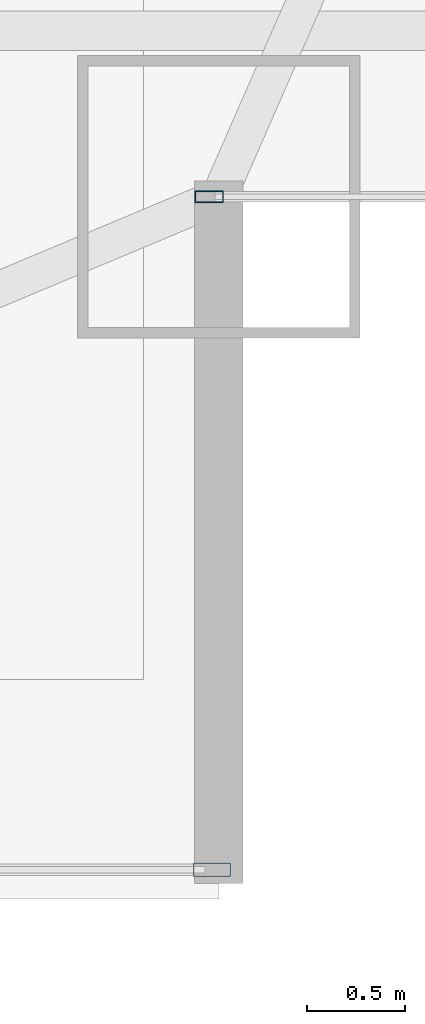
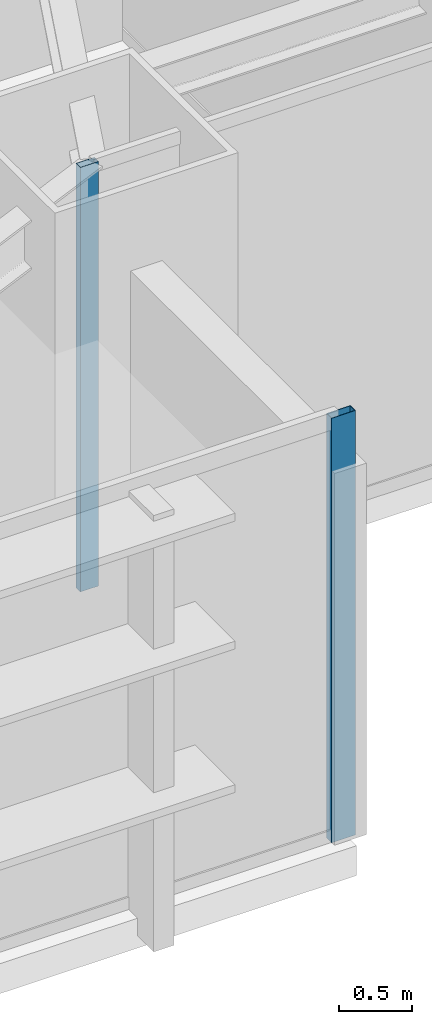
# One storey, part 14 of 30: 2 members, 2 elements without a shape of their own.
"""IFC4 building model written with IfcOpenShell, lengths in metres."""

from ifc_helpers import new_model, si_unit, direction, frame, origin, origin_2d, place, context, subcontext, project, spatial, hollow_rectangle, extrude, source, transform, mapped, material, layer, layer_set, material_profile, profile_set, type_object, type_shapes, element, aggregate, save


model = new_model("IFC4")

# Units and contexts
model_context = context("Model", 3, precision=1e-05, world=origin(), true_north=direction((0.0, 1.0)))
body_context = subcontext(model_context, "Body", "Model", "MODEL_VIEW")
ifc_project = project(units=[si_unit("LENGTHUNIT", "METRE"), si_unit("AREAUNIT", "SQUARE_METRE"), si_unit("VOLUMEUNIT", "CUBIC_METRE"), si_unit("PLANEANGLEUNIT", "RADIAN"), si_unit("MASSUNIT", "GRAM", prefix="KILO")], contexts=[model_context])

# Site, building, storey
site_placement = place(None, origin())
site = spatial("IfcSite", under=ifc_project, at=site_placement, CompositionType="ELEMENT")
building_placement = place(site_placement, origin())
building = spatial("IfcBuilding", under=site, at=building_placement, Name="Varnel Quay Broadcast Tower", CompositionType="ELEMENT")
storey_placement = place(building_placement, frame((0.0, 0.0, 122.0)))
storey = spatial("IfcBuildingStorey", under=building, at=storey_placement, Name="L29", CompositionType="ELEMENT", Elevation=122.0)

# Curtain wall, member
ifc_material = material(Name="Anodised Bronze Aluminium 6063-T6", Category="aluminium")
ifc_layer_1 = layer(ifc_material, 0.18994140625, Name="Anodised Bronze Aluminium 6063-T6")
ifc_layer_set_1 = layer_set([ifc_layer_1], Name="Anodised Bronze Aluminium 6063-T6")
curtain_wall_type_1 = type_object("IfcCurtainWallType", Name="CW_LowerTower", PredefinedType="NOTDEFINED", material=ifc_layer_set_1)
curtain_wall_1_placement = place(storey_placement, origin())
curtain_wall_1 = element("IfcCurtainWall", 1, at=curtain_wall_1_placement, inside=storey, type_object=curtain_wall_type_1, Name="L29 South Unitised Curtain Wall 1", PredefinedType="NOTDEFINED")
ifc_material_profile_1 = material_profile(ifc_material, hollow_rectangle(XDim=0.070068359375, YDim=0.18994140625, WallThickness=0.00390625, at=origin_2d()), Name="ALU70X190X4")
ifc_profile_set_1 = profile_set([ifc_material_profile_1], Name="Anodised Bronze Aluminium 6063-T6")
member_type_1 = type_object("IfcMemberType", Name="Mull_CWS-02", PredefinedType="MULLION", material=ifc_profile_set_1)
shared_shape_1 = source(origin(), body_context, "Body", "SweptSolid", [
    extrude(hollow_rectangle(XDim=0.070068359375, YDim=0.18994140625, WallThickness=0.00390625, at=origin_2d()), origin(), (0.0, 0.0, 1.0), 3.550048828125),
])
type_shapes(member_type_1, [shared_shape_1])
member_1_placement = place(storey_placement, frame((59.864990234375, 4.35009765625, 0.0), z_axis=(0.0, 0.0, 1.0), x_axis=(0.0, 1.0, 0.0)))
member_1 = element("IfcMember", 2, at=member_1_placement, type_object=member_type_1, Name="CWS-02 mullion 5", PredefinedType="MULLION", context=body_context, shape_type="MappedRepresentation", body=[
    mapped(shared_shape_1, transform((0.0, 0.0, 0.0), x_axis=(1.0, 0.0, 0.0), y_axis=(0.0, 1.0, 0.0), z_axis=(0.0, 0.0, 1.0), scale=1.0)),
])
aggregate(curtain_wall_1, [member_1])

ifc_layer_2 = layer(ifc_material, 0.18994140625, Name="Anodised Bronze Aluminium 6063-T6")
ifc_layer_set_2 = layer_set([ifc_layer_2], Name="Anodised Bronze Aluminium 6063-T6")
curtain_wall_type_2 = type_object("IfcCurtainWallType", Name="CW_NotchCorner", PredefinedType="NOTDEFINED", material=ifc_layer_set_2)
curtain_wall_2_placement = place(storey_placement, origin())
curtain_wall_2 = element("IfcCurtainWall", 3, at=curtain_wall_2_placement, inside=storey, type_object=curtain_wall_type_2, Name="L29 SE Notch Curtain Wall", PredefinedType="NOTDEFINED")
ifc_material_profile_2 = material_profile(ifc_material, hollow_rectangle(XDim=0.06005859375, YDim=0.14501953125, WallThickness=0.00341796875, at=origin_2d()), Name="ALU60X145X3.5")
ifc_profile_set_2 = profile_set([ifc_material_profile_2], Name="Anodised Bronze Aluminium 6063-T6")
member_type_2 = type_object("IfcMemberType", Name="Mull_CWS-04", PredefinedType="MULLION", material=ifc_profile_set_2)
shared_shape_2 = source(origin(), body_context, "Body", "SweptSolid", [
    extrude(hollow_rectangle(XDim=0.06005859375, YDim=0.14501953125, WallThickness=0.00341796875, at=origin_2d()), origin(), (0.0, 0.0, 1.0), 3.550048828125),
])
type_shapes(member_type_2, [shared_shape_2])
member_2_placement = place(storey_placement, frame((59.85009765625, 7.800048828125, 0.0), z_axis=(0.0, 0.0, 1.0), x_axis=(0.0, 1.0, 0.0)))
member_2 = element("IfcMember", 4, at=member_2_placement, type_object=member_type_2, Name="CWS-04 mullion 1", PredefinedType="MULLION", context=body_context, shape_type="MappedRepresentation", body=[
    mapped(shared_shape_2, transform((0.0, 0.0, 0.0), x_axis=(1.0, 0.0, 0.0), y_axis=(0.0, 1.0, 0.0), z_axis=(0.0, 0.0, 1.0), scale=1.0)),
])
aggregate(curtain_wall_2, [member_2])

save(model, "model.ifc")
